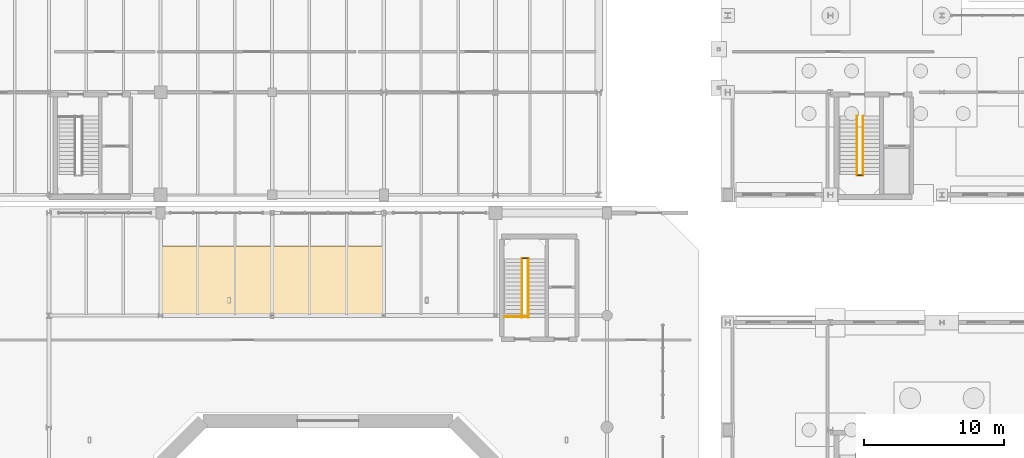
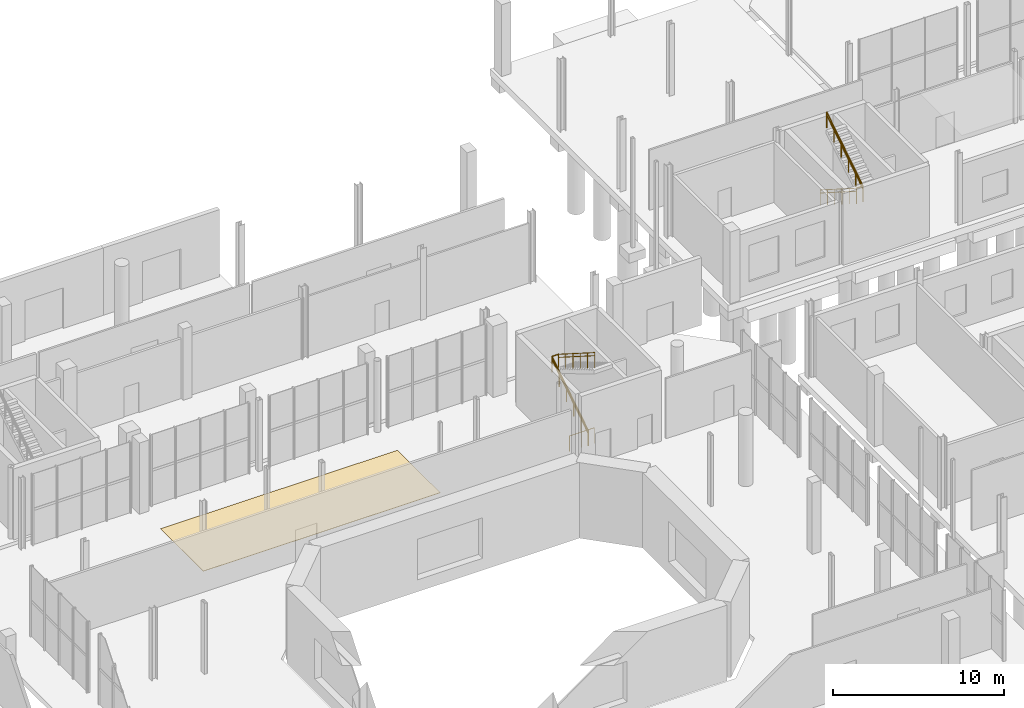
# One storey, part 85 of 87: 11 railings, 1 covering.
"""IFC4 building model written with IfcOpenShell, lengths in metres."""

from ifc_helpers import new_model, si_unit, direction, frame, origin, origin_2d, place, context, subcontext, project, spatial, rectangle, circle, extrude, material, layer, layer_set, type_object, element, save


model = new_model("IFC4")

# Units and contexts
model_context = context("Model", 3, precision=1e-05, world=origin(), true_north=direction((0.0, 1.0)))
body_context = subcontext(model_context, "Body", "Model", "MODEL_VIEW")
ifc_project = project(units=[si_unit("LENGTHUNIT", "METRE"), si_unit("AREAUNIT", "SQUARE_METRE"), si_unit("VOLUMEUNIT", "CUBIC_METRE"), si_unit("PLANEANGLEUNIT", "RADIAN"), si_unit("MASSUNIT", "GRAM", prefix="KILO")], contexts=[model_context])

# Site, building, storey
site_placement = place(None, origin())
site = spatial("IfcSite", under=ifc_project, at=site_placement, CompositionType="ELEMENT")
building_placement = place(site_placement, origin())
building = spatial("IfcBuilding", under=site, at=building_placement, Name="Brisemont Oceanarium", CompositionType="ELEMENT")
storey_placement = place(building_placement, origin())
storey = spatial("IfcBuildingStorey", under=building, at=storey_placement, Name="L00", CompositionType="ELEMENT", Elevation=0.0)

# Covering
ifc_material_1 = material(Name="Epoxy-Bound Recycled Glass Marine Terrazzo", Category="glass")
ifc_layer = layer(ifc_material_1, 0.02490234375)
ifc_layer_set = layer_set([ifc_layer], Name="Epoxy-Bound Recycled Glass Marine Terrazzo")
covering_type = type_object("IfcCoveringType", Name="COV-FLR-TER", PredefinedType="FLOORING", material=ifc_layer_set)
covering_placement = place(storey_placement, frame((80.0, 74.5, 0.0), z_axis=(0.0, 0.0, 1.0), x_axis=(1.0, 0.0, 0.0)))
element("IfcCovering", 1, at=covering_placement, inside=storey, type_object=covering_type, Name="Marine terrazzo flooring FLG-V1-CONC-N", PredefinedType="FLOORING", context=body_context, shape_type="SweptSolid", body=[
    extrude(rectangle(XDim=16.0, YDim=5.0, at=origin_2d()), origin(), (0.0, 0.0, 1.0), 0.02490234375),
])

# Railings
ifc_material_2 = material(Name="Duplex Stainless Steel EN 1.4462", Category="steel")
railing_type_1 = type_object("IfcRailingType", Name="RLG-GUARD-1120", PredefinedType="GUARDRAIL", material=ifc_material_2)
railing_1_placement = place(storey_placement, frame((96.669921875, 71.909912109375, 0.0)))
element("IfcRailing", 2, at=railing_1_placement, inside=storey, type_object=railing_type_1, Name="ST-02 L00 landing edge guard", PredefinedType="GUARDRAIL", context=body_context, shape_type="SweptSolid", body=[
    extrude(circle(Radius=0.02392578125, at=origin_2d()), frame((0.0, 0.0, 1.09619140625), z_axis=(1.0, 0.0, 0.0), x_axis=(0.0, 1.0, 0.0)), (0.0, 0.0, 1.0), 1.68017578125),
    extrude(circle(Radius=0.02099609375, at=origin_2d()), origin(), (0.0, 0.0, 1.0), 1.072021484375),
    extrude(circle(Radius=0.02099609375, at=origin_2d()), frame((0.840087890625, 0.0, 0.0)), (0.0, 0.0, 1.0), 1.072021484375),
    extrude(circle(Radius=0.02099609375, at=origin_2d()), frame((1.68017578125, 0.0, 0.0)), (0.0, 0.0, 1.0), 1.072021484375),
])
railing_2_placement = place(storey_placement, frame((97.909912109375, 71.85009765625, 0.0)))
element("IfcRailing", 3, at=railing_2_placement, inside=storey, type_object=railing_type_1, Name="ST-02 L00 F1 well guard", PredefinedType="GUARDRAIL", context=body_context, shape_type="SweptSolid", body=[
    extrude(circle(Radius=0.02392578125, at=origin_2d()), frame((0.0, 0.0, 1.09619140625), z_axis=(0.0, 0.84407452441, 0.536225882666), x_axis=(-1.0, 0.0, 0.0)), (0.0, 0.0, 1.0), 5.03515625),
    extrude(circle(Radius=0.02099609375, at=origin_2d()), origin(), (0.0, 0.0, 1.0), 1.072021484375),
    extrude(circle(Radius=0.02099609375, at=origin_2d()), frame((0.0, 0.85009765625, 0.5400390625)), (0.0, 0.0, 1.0), 1.072021484375),
    extrude(circle(Radius=0.02099609375, at=origin_2d()), frame((0.0, 1.699951171875, 1.080078125)), (0.0, 0.0, 1.0), 1.072021484375),
    extrude(circle(Radius=0.02099609375, at=origin_2d()), frame((0.0, 2.550048828125, 1.619873046875)), (0.0, 0.0, 1.0), 1.072021484375),
    extrude(circle(Radius=0.02099609375, at=origin_2d()), frame((0.0, 3.39990234375, 2.159912109375)), (0.0, 0.0, 1.0), 1.072021484375),
    extrude(circle(Radius=0.02099609375, at=origin_2d()), frame((0.0, 4.25, 2.699951171875)), (0.0, 0.0, 1.0), 1.072021484375),
])
railing_3_placement = place(storey_placement, frame((98.35009765625, 76.10009765625, 2.699951171875)))
element("IfcRailing", 4, at=railing_3_placement, inside=storey, type_object=railing_type_1, Name="ST-02 L00 F2 well guard", PredefinedType="GUARDRAIL", context=body_context, shape_type="SweptSolid", body=[
    extrude(circle(Radius=0.02392578125, at=origin_2d()), frame((0.0, 0.0, 1.09619140625), z_axis=(0.0, -0.84407452441, 0.536225882666), x_axis=(1.0, 0.0, 0.0)), (0.0, 0.0, 1.0), 5.03515625),
    extrude(circle(Radius=0.02099609375, at=origin_2d()), origin(), (0.0, 0.0, 1.0), 1.072021484375),
    extrude(circle(Radius=0.02099609375, at=origin_2d()), frame((0.0, -0.85009765625, 0.5400390625)), (0.0, 0.0, 1.0), 1.072021484375),
    extrude(circle(Radius=0.02099609375, at=origin_2d()), frame((0.0, -1.699951171875, 1.080078125)), (0.0, 0.0, 1.0), 1.072021484375),
    extrude(circle(Radius=0.02099609375, at=origin_2d()), frame((0.0, -2.550048828125, 1.619873046875)), (0.0, 0.0, 1.0), 1.072021484375),
    extrude(circle(Radius=0.02099609375, at=origin_2d()), frame((0.0, -3.39990234375, 2.159912109375)), (0.0, 0.0, 1.0), 1.072021484375),
    extrude(circle(Radius=0.02099609375, at=origin_2d()), frame((0.0, -4.25, 2.699951171875)), (0.0, 0.0, 1.0), 1.072021484375),
])
railing_4_placement = place(storey_placement, frame((97.909912109375, 76.10009765625, 2.699951171875)))
element("IfcRailing", 5, at=railing_4_placement, inside=storey, type_object=railing_type_1, Name="ST-02 L00 landing slot guard", PredefinedType="GUARDRAIL", context=body_context, shape_type="SweptSolid", body=[
    extrude(circle(Radius=0.02392578125, at=origin_2d()), frame((0.0, 0.0, 1.09619140625), z_axis=(1.0, 0.0, 0.0), x_axis=(0.0, 1.0, 0.0)), (0.0, 0.0, 1.0), 0.440185546875),
    extrude(circle(Radius=0.02099609375, at=origin_2d()), origin(), (0.0, 0.0, 1.0), 1.072021484375),
    extrude(circle(Radius=0.02099609375, at=origin_2d()), frame((0.440185546875, 0.0, 0.0)), (0.0, 0.0, 1.0), 1.072021484375),
])
railing_5_placement = place(storey_placement, frame((121.909912109375, 86.300048828125, 0.0)))
element("IfcRailing", 6, at=railing_5_placement, inside=storey, type_object=railing_type_1, Name="ST-07 L00 F1 well guard", PredefinedType="GUARDRAIL", context=body_context, shape_type="SweptSolid", body=[
    extrude(circle(Radius=0.02392578125, at=origin_2d()), frame((0.0, 0.0, 1.09619140625), z_axis=(0.0, -0.84407452441, 0.536225882666), x_axis=(1.0, 0.0, 0.0)), (0.0, 0.0, 1.0), 5.03515625),
    extrude(circle(Radius=0.02099609375, at=origin_2d()), origin(), (0.0, 0.0, 1.0), 1.072021484375),
    extrude(circle(Radius=0.02099609375, at=origin_2d()), frame((0.0, -0.85009765625, 0.5400390625)), (0.0, 0.0, 1.0), 1.072021484375),
    extrude(circle(Radius=0.02099609375, at=origin_2d()), frame((0.0, -1.699951171875, 1.080078125)), (0.0, 0.0, 1.0), 1.072021484375),
    extrude(circle(Radius=0.02099609375, at=origin_2d()), frame((0.0, -2.550048828125, 1.619873046875)), (0.0, 0.0, 1.0), 1.072021484375),
    extrude(circle(Radius=0.02099609375, at=origin_2d()), frame((0.0, -3.39990234375, 2.159912109375)), (0.0, 0.0, 1.0), 1.072021484375),
    extrude(circle(Radius=0.02099609375, at=origin_2d()), frame((0.0, -4.25, 2.699951171875)), (0.0, 0.0, 1.0), 1.072021484375),
])
railing_6_placement = place(storey_placement, frame((122.35009765625, 82.050048828125, 2.699951171875)))
element("IfcRailing", 7, at=railing_6_placement, inside=storey, type_object=railing_type_1, Name="ST-07 L00 F2 well guard", PredefinedType="GUARDRAIL", context=body_context, shape_type="SweptSolid", body=[
    extrude(circle(Radius=0.02392578125, at=origin_2d()), frame((0.0, 0.0, 1.09619140625), z_axis=(0.0, 0.84407452441, 0.536225882666), x_axis=(-1.0, 0.0, 0.0)), (0.0, 0.0, 1.0), 5.03515625),
    extrude(circle(Radius=0.02099609375, at=origin_2d()), origin(), (0.0, 0.0, 1.0), 1.072021484375),
    extrude(circle(Radius=0.02099609375, at=origin_2d()), frame((0.0, 0.85009765625, 0.5400390625)), (0.0, 0.0, 1.0), 1.072021484375),
    extrude(circle(Radius=0.02099609375, at=origin_2d()), frame((0.0, 1.699951171875, 1.080078125)), (0.0, 0.0, 1.0), 1.072021484375),
    extrude(circle(Radius=0.02099609375, at=origin_2d()), frame((0.0, 2.550048828125, 1.619873046875)), (0.0, 0.0, 1.0), 1.072021484375),
    extrude(circle(Radius=0.02099609375, at=origin_2d()), frame((0.0, 3.39990234375, 2.159912109375)), (0.0, 0.0, 1.0), 1.072021484375),
    extrude(circle(Radius=0.02099609375, at=origin_2d()), frame((0.0, 4.25, 2.699951171875)), (0.0, 0.0, 1.0), 1.072021484375),
])
railing_7_placement = place(storey_placement, frame((121.909912109375, 82.050048828125, 2.699951171875)))
element("IfcRailing", 8, at=railing_7_placement, inside=storey, type_object=railing_type_1, Name="ST-07 L00 landing slot guard", PredefinedType="GUARDRAIL", context=body_context, shape_type="SweptSolid", body=[
    extrude(circle(Radius=0.02392578125, at=origin_2d()), frame((0.0, 0.0, 1.09619140625), z_axis=(1.0, 0.0, 0.0), x_axis=(0.0, 1.0, 0.0)), (0.0, 0.0, 1.0), 0.440185546875),
    extrude(circle(Radius=0.02099609375, at=origin_2d()), origin(), (0.0, 0.0, 1.0), 1.072021484375),
    extrude(circle(Radius=0.02099609375, at=origin_2d()), frame((0.440185546875, 0.0, 0.0)), (0.0, 0.0, 1.0), 1.072021484375),
])
ifc_material_3 = material(Name="Duplex Stainless Steel EN 1.4462", Category="steel")
railing_type_2 = type_object("IfcRailingType", Name="RLG-HAND-900", PredefinedType="HANDRAIL", material=ifc_material_3)
railing_8_placement = place(storey_placement, frame((97.909912109375, 71.85009765625, 0.0)))
element("IfcRailing", 9, at=railing_8_placement, inside=storey, type_object=railing_type_2, Name="ST-02 L00 F1 handrail", PredefinedType="HANDRAIL", context=body_context, shape_type="SweptSolid", body=[
    extrude(circle(Radius=0.02392578125, at=origin_2d()), frame((0.0, 0.0, 0.8759765625), z_axis=(0.0, 0.84407452441, 0.536225882666), x_axis=(-1.0, 0.0, 0.0)), (0.0, 0.0, 1.0), 5.03515625),
    extrude(circle(Radius=0.02099609375, at=origin_2d()), origin(), (0.0, 0.0, 1.0), 0.851806640625),
    extrude(circle(Radius=0.02099609375, at=origin_2d()), frame((0.0, 0.85009765625, 0.5400390625)), (0.0, 0.0, 1.0), 0.851806640625),
    extrude(circle(Radius=0.02099609375, at=origin_2d()), frame((0.0, 1.699951171875, 1.080078125)), (0.0, 0.0, 1.0), 0.851806640625),
    extrude(circle(Radius=0.02099609375, at=origin_2d()), frame((0.0, 2.550048828125, 1.619873046875)), (0.0, 0.0, 1.0), 0.851806640625),
    extrude(circle(Radius=0.02099609375, at=origin_2d()), frame((0.0, 3.39990234375, 2.159912109375)), (0.0, 0.0, 1.0), 0.851806640625),
    extrude(circle(Radius=0.02099609375, at=origin_2d()), frame((0.0, 4.25, 2.699951171875)), (0.0, 0.0, 1.0), 0.851806640625),
])
for number, where, name in (
    (10, (98.35009765625, 76.10009765625, 2.699951171875), "ST-02 L00 F2 handrail"),
    (11, (121.909912109375, 86.300048828125, 0.0), "ST-07 L00 F1 handrail"),
):
    element("IfcRailing", number, at=place(storey_placement, frame(where)), inside=storey, type_object=railing_type_2, Name=name, PredefinedType="HANDRAIL", context=body_context, shape_type="SweptSolid", body=[
        extrude(circle(Radius=0.02392578125, at=origin_2d()), frame((0.0, 0.0, 0.8759765625), z_axis=(0.0, -0.84407452441, 0.536225882666), x_axis=(1.0, 0.0, 0.0)), (0.0, 0.0, 1.0), 5.03515625),
        extrude(circle(Radius=0.02099609375, at=origin_2d()), origin(), (0.0, 0.0, 1.0), 0.851806640625),
        extrude(circle(Radius=0.02099609375, at=origin_2d()), frame((0.0, -0.85009765625, 0.5400390625)), (0.0, 0.0, 1.0), 0.851806640625),
        extrude(circle(Radius=0.02099609375, at=origin_2d()), frame((0.0, -1.699951171875, 1.080078125)), (0.0, 0.0, 1.0), 0.851806640625),
        extrude(circle(Radius=0.02099609375, at=origin_2d()), frame((0.0, -2.550048828125, 1.619873046875)), (0.0, 0.0, 1.0), 0.851806640625),
        extrude(circle(Radius=0.02099609375, at=origin_2d()), frame((0.0, -3.39990234375, 2.159912109375)), (0.0, 0.0, 1.0), 0.851806640625),
        extrude(circle(Radius=0.02099609375, at=origin_2d()), frame((0.0, -4.25, 2.699951171875)), (0.0, 0.0, 1.0), 0.851806640625),
    ])
railing_9_placement = place(storey_placement, frame((122.35009765625, 82.050048828125, 2.699951171875)))
element("IfcRailing", 12, at=railing_9_placement, inside=storey, type_object=railing_type_2, Name="ST-07 L00 F2 handrail", PredefinedType="HANDRAIL", context=body_context, shape_type="SweptSolid", body=[
    extrude(circle(Radius=0.02392578125, at=origin_2d()), frame((0.0, 0.0, 0.8759765625), z_axis=(0.0, 0.84407452441, 0.536225882666), x_axis=(-1.0, 0.0, 0.0)), (0.0, 0.0, 1.0), 5.03515625),
    extrude(circle(Radius=0.02099609375, at=origin_2d()), origin(), (0.0, 0.0, 1.0), 0.851806640625),
    extrude(circle(Radius=0.02099609375, at=origin_2d()), frame((0.0, 0.85009765625, 0.5400390625)), (0.0, 0.0, 1.0), 0.851806640625),
    extrude(circle(Radius=0.02099609375, at=origin_2d()), frame((0.0, 1.699951171875, 1.080078125)), (0.0, 0.0, 1.0), 0.851806640625),
    extrude(circle(Radius=0.02099609375, at=origin_2d()), frame((0.0, 2.550048828125, 1.619873046875)), (0.0, 0.0, 1.0), 0.851806640625),
    extrude(circle(Radius=0.02099609375, at=origin_2d()), frame((0.0, 3.39990234375, 2.159912109375)), (0.0, 0.0, 1.0), 0.851806640625),
    extrude(circle(Radius=0.02099609375, at=origin_2d()), frame((0.0, 4.25, 2.699951171875)), (0.0, 0.0, 1.0), 0.851806640625),
])

save(model, "model.ifc")
